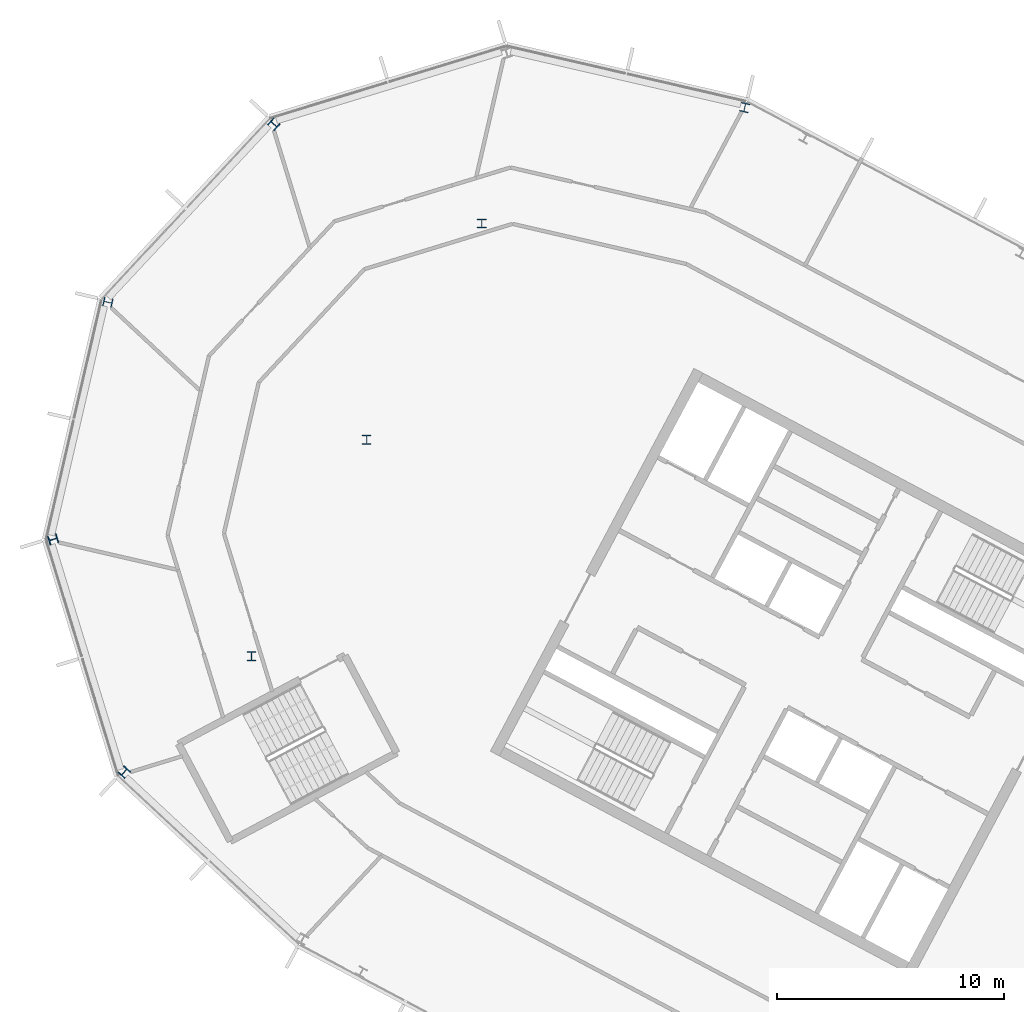
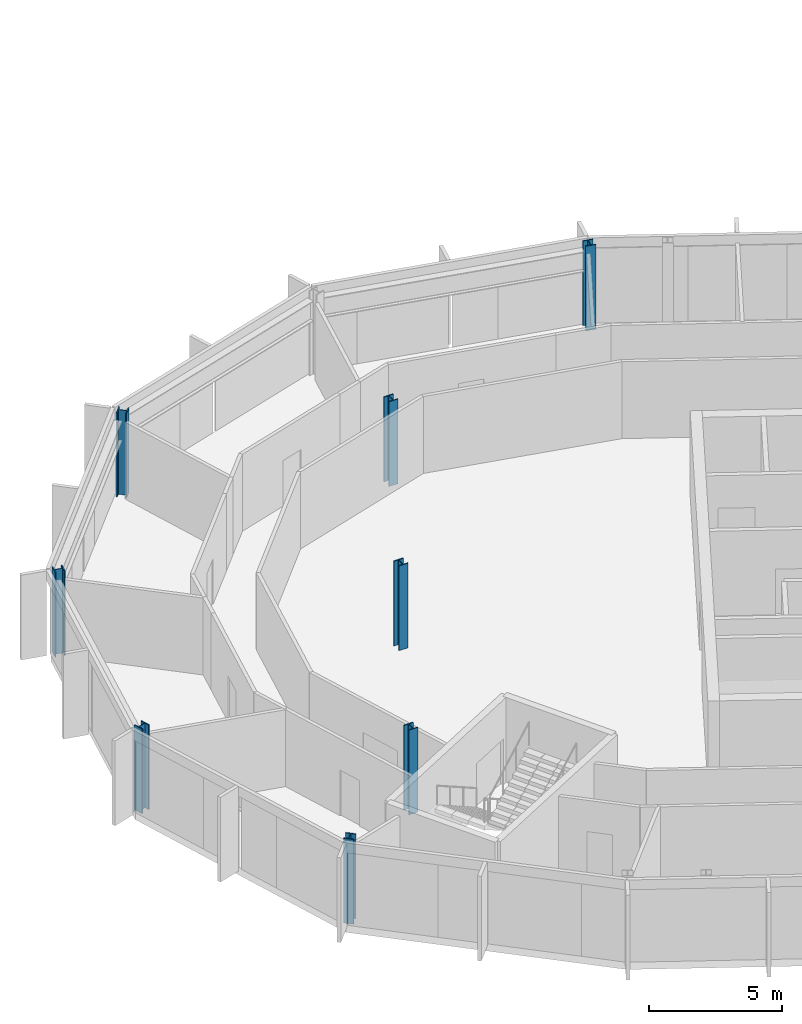
# One storey, part 3 of 26: 8 columns.
"""IFC4 building model written with IfcOpenShell, lengths in metres."""

from ifc_helpers import new_model, si_unit, direction, frame, origin, origin_2d, place, context, subcontext, project, spatial, i_section, extrude, material, material_profile, profile_set, type_object, element, save


model = new_model("IFC4")

# Units and contexts
model_context = context("Model", 3, precision=1e-05, world=origin(), true_north=direction((0.0, 1.0)))
body_context = subcontext(model_context, "Body", "Model", "MODEL_VIEW")
ifc_project = project(units=[si_unit("LENGTHUNIT", "METRE"), si_unit("AREAUNIT", "SQUARE_METRE"), si_unit("VOLUMEUNIT", "CUBIC_METRE"), si_unit("PLANEANGLEUNIT", "RADIAN"), si_unit("MASSUNIT", "GRAM", prefix="KILO")], contexts=[model_context])

# Site, building, storey
site_placement = place(None, origin())
site = spatial("IfcSite", under=ifc_project, at=site_placement, CompositionType="ELEMENT")
building_placement = place(site_placement, origin())
building = spatial("IfcBuilding", under=site, at=building_placement, Name="Cormorant Relay Tower", CompositionType="ELEMENT")
storey_placement = place(building_placement, frame((0.0, 0.0, 308.699951171875)))
storey = spatial("IfcBuildingStorey", under=building, at=storey_placement, Name="L70", CompositionType="ELEMENT", Elevation=308.699951171875)

# Columns
ifc_material = material(Name="Steel ASTM A992 (Fy 345 MPa)", Category="steel")
ifc_material_profile = material_profile(ifc_material, i_section(OverallWidth=0.40380859375, OverallDepth=0.406494140625, WebThickness=0.027099609375, FlangeThickness=0.043701171875, FilletRadius=0.01513671875, at=origin_2d()), Name="W360x347")
ifc_profile_set = profile_set([ifc_material_profile], Name="Steel ASTM A992 (Fy 345 MPa)")
column_type = type_object("IfcColumnType", Name="Column W360x347", PredefinedType="COLUMN", material=ifc_profile_set)
for number, where, z_axis, x_axis, name in (
    (1, (-57.2958984375, 10.152099609375, 0.0), (0.0, 0.0, 1.0), (0.731353701619, -0.681998360062, 0.0), "Column L70-022"),
    (2, (-51.68994140625, 15.251953125, 0.0), (0.0, 0.0, 1.0), (1.0, 0.0, 0.0), "Column L70-026"),
    (3, (-60.429931640625, 20.403076171875, 0.0), (0.0, 0.0, 1.0), (0.292371704723, -0.956304755963, 0.0), "Column L70-028"),
    (4, (-46.6201171875, 24.7880859375, 0.0), (0.0, 0.0, 1.0), (1.0, 0.0, 0.0), "Column L70-030"),
    (5, (-58.01806640625, 30.84912109375, 0.0), (0.0, 0.0, 1.0), (-0.224951054344, -0.974370064785, 0.0), "Column L70-034"),
    (6, (-41.549072265625, 34.323974609375, 0.0), (0.0, 0.0, 1.0), (1.0, 0.0, 0.0), "Column L70-037"),
    (7, (-50.70703125, 38.68896484375, 0.0), (0.0, 0.0, 1.0), (-0.681998360062, -0.731353701619, 0.0), "Column L70-041"),
    (8, (-29.965087890625, 39.425048828125, 0.0), (0.0, 0.0, 1.0), (-0.974370064785, 0.224951054344, 0.0), "Column L70-042"),
):
    element("IfcColumn", number, at=place(storey_placement, frame(where, z_axis=z_axis, x_axis=x_axis)), inside=storey, type_object=column_type, Name=name, PredefinedType="COLUMN", context=body_context, shape_type="SweptSolid", body=[
        extrude(i_section(OverallWidth=0.40380859375, OverallDepth=0.406494140625, WebThickness=0.027099609375, FlangeThickness=0.043701171875, FilletRadius=0.01513671875, at=origin_2d()), origin(), (0.0, 0.0, 1.0), 3.900146484375),
    ])

save(model, "model.ifc")
